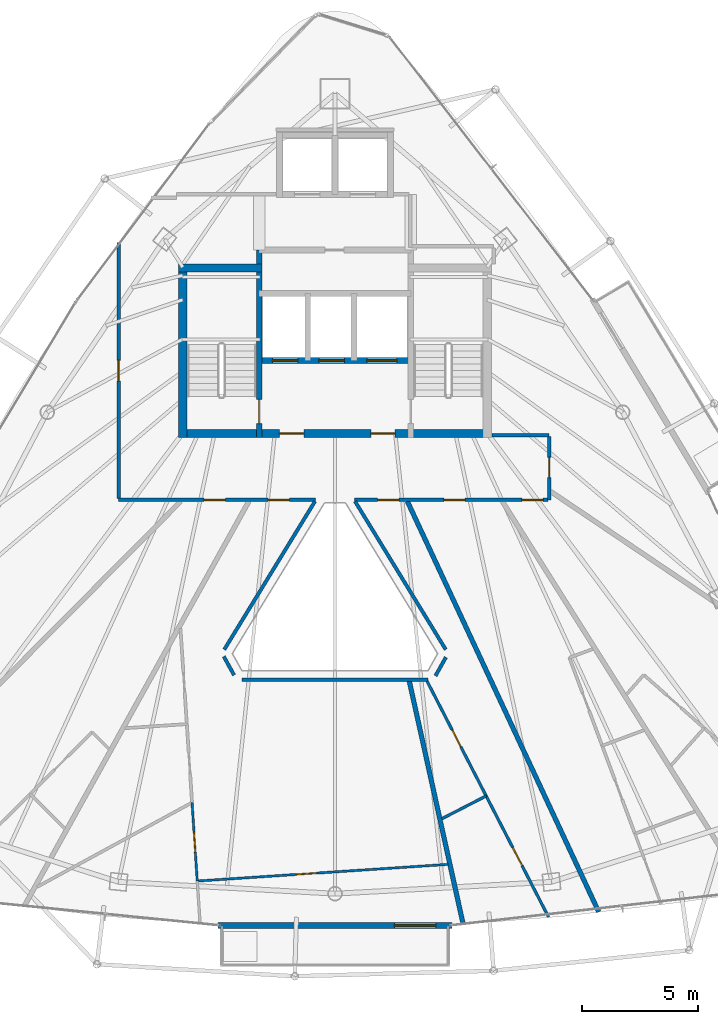
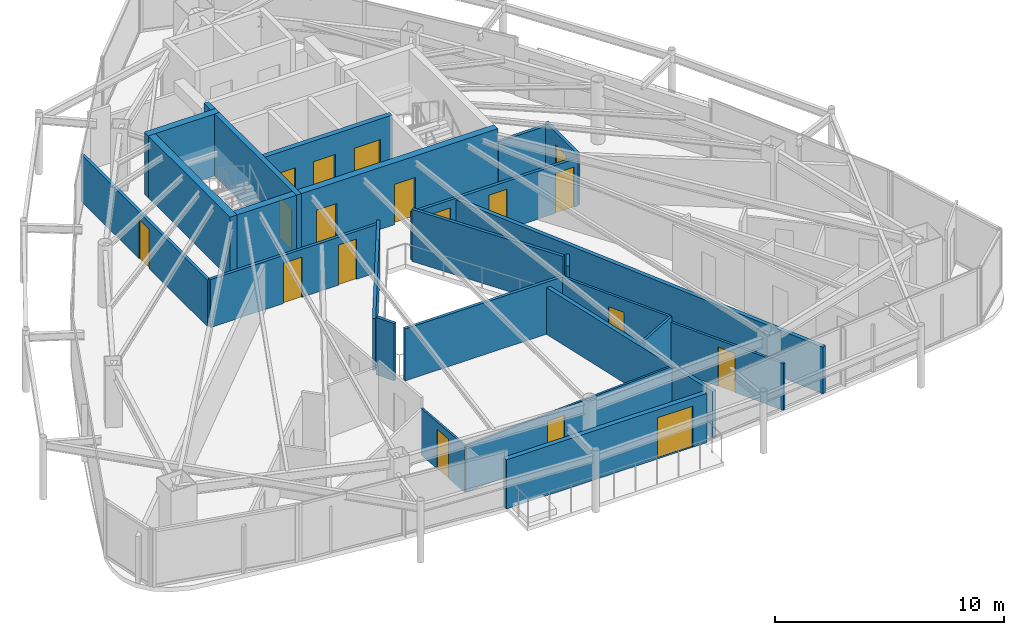
# One storey, part 25 of 29: 23 walls, 18 doors, 18 openings.
"""IFC4 building model written with IfcOpenShell, lengths in metres."""

from ifc_helpers import new_model, si_unit, direction, frame, frame_2d, origin, place, context, subcontext, project, spatial, rectangle, extrude, material, layer, layer_set, type_object, element, fill, save


model = new_model("IFC4")

# Units and contexts
model_context = context("Model", 3, precision=1e-05, world=origin(), true_north=direction((0.0, 1.0)))
body_context = subcontext(model_context, "Body", "Model", "MODEL_VIEW")
ifc_project = project(units=[si_unit("LENGTHUNIT", "METRE"), si_unit("AREAUNIT", "SQUARE_METRE"), si_unit("VOLUMEUNIT", "CUBIC_METRE"), si_unit("PLANEANGLEUNIT", "RADIAN"), si_unit("MASSUNIT", "GRAM", prefix="KILO")], contexts=[model_context])

# Site, building, storey
site_placement = place(None, origin())
site = spatial("IfcSite", under=ifc_project, at=site_placement, CompositionType="ELEMENT")
building_placement = place(site_placement, origin())
building = spatial("IfcBuilding", under=site, at=building_placement, Name="Orvanel Arch Residences", CompositionType="ELEMENT")
storey_placement = place(building_placement, frame((0.0, 0.0, 250.25)))
storey = spatial("IfcBuildingStorey", under=building, at=storey_placement, Name="L71", CompositionType="ELEMENT", Elevation=250.25)

# Wall, opening, door
ifc_material_1 = material(Name="Precast concrete N50 (50 MPa)", Category="concrete")
ifc_layer_1 = layer(ifc_material_1, 0.239990234375)
ifc_layer_set_1 = layer_set([ifc_layer_1], Name="Precast concrete N50 (50 MPa)")
wall_type_1 = type_object("IfcWallType", Name="EW-BAL-240", PredefinedType="SOLIDWALL", material=ifc_layer_set_1)
wall_1_placement = place(storey_placement, frame((27.94091796875, 5.469970703125, 0.0), z_axis=(0.0, 0.0, 1.0), x_axis=(1.0, 0.0, 0.0)))
wall_1 = element("IfcWall", 1, at=wall_1_placement, inside=storey, type_object=wall_type_1, Name="L71 Balcony Threshold Wall Face 2", PredefinedType="SOLIDWALL", context=body_context, shape_type="SweptSolid", body=[
    extrude(rectangle(XDim=10.1181640625, YDim=0.239990234375, at=frame_2d((5.05908203125, 0.0))), origin(), (0.0, 0.0, 1.0), 2.6240234375),
])
opening_1_placement = place(wall_1_placement, frame((7.6201171875, 0.0, 0.0)))
opening_1 = element("IfcOpeningElement", 2, at=opening_1_placement, cuts=wall_1, Name="Opening DB-180", PredefinedType="OPENING", context=body_context, shape_type="SweptSolid", body=[
    extrude(rectangle(XDim=1.800048828125, YDim=2.199951171875, at=frame_2d((0.89990234375, 1.10009765625))), frame((0.0, 0.1298828125, 0.0), z_axis=(0.0, -1.0, 0.0), x_axis=(1.0, 0.0, 0.0)), (0.0, 0.0, 1.0), 0.260009765625),
])
ifc_material_2 = material(Name="Bronze-anodised aluminium AA6063-T6", Category="aluminium")
door_type_1 = type_object("IfcDoorType", Name="DR-BAL-1800", OperationType="NOTDEFINED", PredefinedType="DOOR", material=ifc_material_2)
door_1_placement = place(opening_1_placement, origin())
door_1 = element("IfcDoor", 3, at=door_1_placement, inside=storey, type_object=door_type_1, Name="DR-L71-BAL-F2 L71 Planted Balcony Access Door Face 2", OperationType="SINGLE_SWING_LEFT", OverallHeight=2.199951171875, OverallWidth=1.800048828125, PredefinedType="DOOR", context=body_context, shape_type="SweptSolid", body=[
    extrude(rectangle(XDim=1.800048828125, YDim=2.199951171875, at=frame_2d((0.89990234375, 1.10009765625))), frame((0.0, 0.02490234375, 0.0), z_axis=(0.0, -1.0, 0.0), x_axis=(1.0, 0.0, 0.0)), (0.0, 0.0, 1.0), 0.050048828125),
])
fill(opening_1, door_1)

ifc_material_3 = material(Name="Concrete N50 (50 MPa)", Category="concrete")
ifc_layer_2 = layer(ifc_material_3, 0.25)
ifc_layer_set_2 = layer_set([ifc_layer_2], Name="Concrete N50 (50 MPa)")
wall_type_2 = type_object("IfcWallType", Name="SW-CORE-250", PredefinedType="SHEAR", material=ifc_layer_set_2)
wall_2_placement = place(storey_placement, frame((29.72509765625, 26.550048828125, 0.0), z_axis=(0.0, 0.0, 1.0), x_axis=(0.0, 1.0, 0.0)))
wall_2 = element("IfcWall", 4, at=wall_2_placement, inside=storey, type_object=wall_type_2, Name="L71 West Inner Core Spine Shear Wall", PredefinedType="SHEAR", context=body_context, shape_type="SweptSolid", body=[
    extrude(rectangle(XDim=8.099853515625, YDim=0.25, at=frame_2d((4.0498046875, 0.0))), origin(), (0.0, 0.0, 1.0), 3.300048828125),
])
opening_2_placement = place(wall_2_placement, frame((0.60009765625, 0.0, 0.0)))
opening_2 = element("IfcOpeningElement", 5, at=opening_2_placement, cuts=wall_2, Name="Opening DF-120", PredefinedType="OPENING", context=body_context, shape_type="SweptSolid", body=[
    extrude(rectangle(XDim=1.050048828125, YDim=2.14990234375, at=frame_2d((0.52490234375, 1.074951171875))), frame((0.0, 0.135009765625, 0.0), z_axis=(0.0, -1.0, 0.0), x_axis=(1.0, 0.0, 0.0)), (0.0, 0.0, 1.0), 0.27001953125),
])
ifc_material_4 = material(Name="Galvanised steel fire-resisting door assembly", Category="steel")
door_type_2 = type_object("IfcDoorType", Name="DR-FD120-1050", OperationType="NOTDEFINED", PredefinedType="DOOR", material=ifc_material_4)
door_2_placement = place(opening_2_placement, origin())
door_2 = element("IfcDoor", 6, at=door_2_placement, inside=storey, type_object=door_type_2, Name="DR-L71-ST1 L71 Stair 1 Fire Door", OperationType="SINGLE_SWING_LEFT", OverallHeight=2.14990234375, OverallWidth=1.050048828125, PredefinedType="DOOR", context=body_context, shape_type="SweptSolid", body=[
    extrude(rectangle(XDim=1.050048828125, YDim=2.14990234375, at=frame_2d((0.52490234375, 1.074951171875))), frame((0.0, 0.02490234375, 0.0), z_axis=(0.0, -1.0, 0.0), x_axis=(1.0, 0.0, 0.0)), (0.0, 0.0, 1.0), 0.050048828125),
])
fill(opening_2, door_2)

# Wall, openings, doors
wall_3_placement = place(storey_placement, frame((36.27490234375, 29.875, 0.0), z_axis=(0.0, 0.0, 1.0), x_axis=(-1.0, 0.0, 0.0)))
wall_3 = element("IfcWall", 7, at=wall_3_placement, inside=storey, type_object=wall_type_2, Name="L71 Emergency Lift Front Core Shear Wall", PredefinedType="SHEAR", context=body_context, shape_type="SweptSolid", body=[
    extrude(rectangle(XDim=6.5498046875, YDim=0.25, at=frame_2d((3.27490234375, 0.0))), origin(), (0.0, 0.0, 1.0), 3.300048828125),
])
opening_3_placement = place(wall_3_placement, frame((4.875, 0.0, 0.0)))
opening_3 = element("IfcOpeningElement", 8, at=opening_3_placement, cuts=wall_3, Name="Opening LD-110", PredefinedType="OPENING", context=body_context, shape_type="SweptSolid", body=[
    extrude(rectangle(XDim=1.10009765625, YDim=2.199951171875, at=frame_2d((0.550048828125, 1.10009765625))), frame((0.0, 0.135009765625, 0.0), z_axis=(0.0, -1.0, 0.0), x_axis=(1.0, 0.0, 0.0)), (0.0, 0.0, 1.0), 0.27001953125),
])
opening_4_placement = place(wall_3_placement, frame((2.875, 0.0, 0.0)))
opening_4 = element("IfcOpeningElement", 9, at=opening_4_placement, cuts=wall_3, Name="Opening LD-110", PredefinedType="OPENING", context=body_context, shape_type="SweptSolid", body=[
    extrude(rectangle(XDim=1.10009765625, YDim=2.199951171875, at=frame_2d((0.550048828125, 1.10009765625))), frame((0.0, 0.135009765625, 0.0), z_axis=(0.0, -1.0, 0.0), x_axis=(1.0, 0.0, 0.0)), (0.0, 0.0, 1.0), 0.27001953125),
])
opening_5_placement = place(wall_3_placement, frame((0.60009765625, 0.0, 0.0)))
opening_5 = element("IfcOpeningElement", 10, at=opening_5_placement, cuts=wall_3, Name="Opening LD-130", PredefinedType="OPENING", context=body_context, shape_type="SweptSolid", body=[
    extrude(rectangle(XDim=1.300048828125, YDim=2.199951171875, at=frame_2d((0.64990234375, 1.10009765625))), frame((0.0, 0.135009765625, 0.0), z_axis=(0.0, -1.0, 0.0), x_axis=(1.0, 0.0, 0.0)), (0.0, 0.0, 1.0), 0.27001953125),
])
door_type_3 = type_object("IfcDoorType", Name="DR-LFT-1100", OperationType="NOTDEFINED", PredefinedType="DOOR", material=ifc_material_4)
door_3_placement = place(opening_3_placement, origin())
door_3 = element("IfcDoor", 11, at=door_3_placement, inside=storey, type_object=door_type_3, Name="LD-F1-L71 L71 Lift F1 Sliding Landing Door", OperationType="DOUBLE_DOOR_SLIDING", OverallHeight=2.199951171875, OverallWidth=1.10009765625, PredefinedType="DOOR", context=body_context, shape_type="SweptSolid", body=[
    extrude(rectangle(XDim=1.10009765625, YDim=2.199951171875, at=frame_2d((0.550048828125, 1.10009765625))), frame((0.0, 0.02490234375, 0.0), z_axis=(0.0, -1.0, 0.0), x_axis=(1.0, 0.0, 0.0)), (0.0, 0.0, 1.0), 0.050048828125),
])
fill(opening_3, door_3)
door_4_placement = place(opening_4_placement, origin())
door_4 = element("IfcDoor", 12, at=door_4_placement, inside=storey, type_object=door_type_3, Name="LD-F2-L71 L71 Lift F2 Sliding Landing Door", OperationType="DOUBLE_DOOR_SLIDING", OverallHeight=2.199951171875, OverallWidth=1.10009765625, PredefinedType="DOOR", context=body_context, shape_type="SweptSolid", body=[
    extrude(rectangle(XDim=1.10009765625, YDim=2.199951171875, at=frame_2d((0.550048828125, 1.10009765625))), frame((0.0, 0.02490234375, 0.0), z_axis=(0.0, -1.0, 0.0), x_axis=(1.0, 0.0, 0.0)), (0.0, 0.0, 1.0), 0.050048828125),
])
fill(opening_4, door_4)
door_type_4 = type_object("IfcDoorType", Name="DR-LFT-1300", OperationType="NOTDEFINED", PredefinedType="DOOR", material=ifc_material_4)
door_5_placement = place(opening_5_placement, origin())
door_5 = element("IfcDoor", 13, at=door_5_placement, inside=storey, type_object=door_type_4, Name="LD-G1-L71 L71 Lift G1 Sliding Landing Door", OperationType="DOUBLE_DOOR_SLIDING", OverallHeight=2.199951171875, OverallWidth=1.300048828125, PredefinedType="DOOR", context=body_context, shape_type="SweptSolid", body=[
    extrude(rectangle(XDim=1.300048828125, YDim=2.199951171875, at=frame_2d((0.64990234375, 1.10009765625))), frame((0.0, 0.02490234375, 0.0), z_axis=(0.0, -1.0, 0.0), x_axis=(1.0, 0.0, 0.0)), (0.0, 0.0, 1.0), 0.050048828125),
])
fill(opening_5, door_5)

ifc_layer_3 = layer(ifc_material_3, 0.35009765625)
ifc_layer_set_3 = layer_set([ifc_layer_3], Name="Concrete N50 (50 MPa)")
wall_type_3 = type_object("IfcWallType", Name="SW-CORE-350", PredefinedType="SHEAR", material=ifc_layer_set_3)
wall_4_placement = place(storey_placement, frame((26.25, 26.72509765625, 0.0), z_axis=(0.0, 0.0, 1.0), x_axis=(1.0, 0.0, 0.0)))
wall_4 = element("IfcWall", 14, at=wall_4_placement, inside=storey, type_object=wall_type_3, Name="L71 South Core Shear Wall", PredefinedType="SHEAR", context=body_context, shape_type="SweptSolid", body=[
    extrude(rectangle(XDim=13.5, YDim=0.35009765625, at=frame_2d((6.75, 0.0))), origin(), (0.0, 0.0, 1.0), 3.300048828125),
])
opening_6_placement = place(wall_4_placement, frame((4.35009765625, 0.0, 0.0)))
opening_6 = element("IfcOpeningElement", 15, at=opening_6_placement, cuts=wall_4, Name="Opening DF-060", PredefinedType="OPENING", context=body_context, shape_type="SweptSolid", body=[
    extrude(rectangle(XDim=1.050048828125, YDim=2.14990234375, at=frame_2d((0.52490234375, 1.074951171875))), frame((0.0, 0.18505859375, 0.0), z_axis=(0.0, -1.0, 0.0), x_axis=(1.0, 0.0, 0.0)), (0.0, 0.0, 1.0), 0.3701171875),
])
opening_7_placement = place(wall_4_placement, frame((8.300048828125, 0.0, 0.0)))
opening_7 = element("IfcOpeningElement", 16, at=opening_7_placement, cuts=wall_4, Name="Opening DF-060", PredefinedType="OPENING", context=body_context, shape_type="SweptSolid", body=[
    extrude(rectangle(XDim=1.050048828125, YDim=2.14990234375, at=frame_2d((0.52490234375, 1.074951171875))), frame((0.0, 0.18505859375, 0.0), z_axis=(0.0, -1.0, 0.0), x_axis=(1.0, 0.0, 0.0)), (0.0, 0.0, 1.0), 0.3701171875),
])
door_type_5 = type_object("IfcDoorType", Name="DR-FD60-1050", OperationType="NOTDEFINED", PredefinedType="DOOR", material=ifc_material_4)
door_6_placement = place(opening_6_placement, origin())
door_6 = element("IfcDoor", 17, at=door_6_placement, inside=storey, type_object=door_type_5, Name="DR-L71-FFL-W L71 West Smoke Lobby Door", OperationType="SINGLE_SWING_LEFT", OverallHeight=2.14990234375, OverallWidth=1.050048828125, PredefinedType="DOOR", context=body_context, shape_type="SweptSolid", body=[
    extrude(rectangle(XDim=1.050048828125, YDim=2.14990234375, at=frame_2d((0.52490234375, 1.074951171875))), frame((0.0, 0.02490234375, 0.0), z_axis=(0.0, -1.0, 0.0), x_axis=(1.0, 0.0, 0.0)), (0.0, 0.0, 1.0), 0.050048828125),
])
fill(opening_6, door_6)
door_7_placement = place(opening_7_placement, origin())
door_7 = element("IfcDoor", 18, at=door_7_placement, inside=storey, type_object=door_type_5, Name="DR-L71-FFL-E L71 East Smoke Lobby Door", OperationType="SINGLE_SWING_RIGHT", OverallHeight=2.14990234375, OverallWidth=1.050048828125, PredefinedType="DOOR", context=body_context, shape_type="SweptSolid", body=[
    extrude(rectangle(XDim=1.050048828125, YDim=2.14990234375, at=frame_2d((0.52490234375, 1.074951171875))), frame((0.0, 0.02490234375, 0.0), z_axis=(0.0, -1.0, 0.0), x_axis=(1.0, 0.0, 0.0)), (0.0, 0.0, 1.0), 0.050048828125),
])
fill(opening_7, door_7)

# Walls
wall_5_placement = place(storey_placement, frame((26.425048828125, 26.550048828125, 0.0), z_axis=(0.0, 0.0, 1.0), x_axis=(0.0, 1.0, 0.0)))
element("IfcWall", 19, at=wall_5_placement, inside=storey, type_object=wall_type_3, Name="L71 West Stair Shear Wall", PredefinedType="SHEAR", context=body_context, shape_type="SweptSolid", body=[
    extrude(rectangle(XDim=7.5, YDim=0.35009765625, at=frame_2d((3.75, 0.0))), origin(), (0.0, 0.0, 1.0), 3.300048828125),
])
wall_6_placement = place(storey_placement, frame((26.25, 33.875, 0.0), z_axis=(0.0, 0.0, 1.0), x_axis=(1.0, 0.0, 0.0)))
element("IfcWall", 20, at=wall_6_placement, inside=storey, type_object=wall_type_3, Name="L71 West Stair North Shear Wall", PredefinedType="SHEAR", context=body_context, shape_type="SweptSolid", body=[
    extrude(rectangle(XDim=3.60009765625, YDim=0.35009765625, at=frame_2d((1.800048828125, 0.0))), origin(), (0.0, 0.0, 1.0), 3.300048828125),
])

# Wall, openings, doors
ifc_material_5 = material(Name="Fire-rated plasterboard lined steel stud partition", Category="steel")
ifc_layer_4 = layer(ifc_material_5, 0.14990234375)
ifc_layer_set_4 = layer_set([ifc_layer_4], Name="Fire-rated plasterboard lined steel stud partition")
wall_type_4 = type_object("IfcWallType", Name="W-COR-150", PredefinedType="PARTITIONING", material=ifc_layer_set_4)
wall_7_placement = place(storey_placement, frame((32.1650390625, 23.85009765625, 0.0), z_axis=(0.0, 0.0, 1.0), x_axis=(-1.0, 0.0, 0.0)))
wall_7 = element("IfcWall", 21, at=wall_7_placement, inside=storey, type_object=wall_type_4, Name="L71 Corridor Fire-Rated Partition", PredefinedType="PARTITIONING", context=body_context, shape_type="SweptSolid", body=[
    extrude(rectangle(XDim=8.51513671875, YDim=0.14990234375, at=frame_2d((4.257568359375, 0.0))), origin(), (0.0, 0.0, 1.0), 2.56494140625),
])
opening_8_placement = place(wall_7_placement, frame((1.133056640625, 0.0, 0.0)))
opening_8 = element("IfcOpeningElement", 22, at=opening_8_placement, cuts=wall_7, Name="Opening DA-092", PredefinedType="OPENING", context=body_context, shape_type="SweptSolid", body=[
    extrude(rectangle(XDim=0.919921875, YDim=2.14990234375, at=frame_2d((0.4599609375, 1.074951171875))), frame((0.0, 0.0849609375, 0.0), z_axis=(0.0, -1.0, 0.0), x_axis=(1.0, 0.0, 0.0)), (0.0, 0.0, 1.0), 0.169921875),
])
opening_9_placement = place(wall_7_placement, frame((3.89599609375, 0.0, 0.0)))
opening_9 = element("IfcOpeningElement", 23, at=opening_9_placement, cuts=wall_7, Name="Opening DA-092", PredefinedType="OPENING", context=body_context, shape_type="SweptSolid", body=[
    extrude(rectangle(XDim=0.919921875, YDim=2.14990234375, at=frame_2d((0.4599609375, 1.074951171875))), frame((0.0, 0.0849609375, 0.0), z_axis=(0.0, -1.0, 0.0), x_axis=(1.0, 0.0, 0.0)), (0.0, 0.0, 1.0), 0.169921875),
])
ifc_material_6 = material(Name="Solid-core European oak veneer fire door leaf", Category="wood")
door_type_6 = type_object("IfcDoorType", Name="DR-APT-920", OperationType="NOTDEFINED", PredefinedType="DOOR", material=ifc_material_6)
door_8_placement = place(opening_8_placement, origin())
door_8 = element("IfcDoor", 24, at=door_8_placement, inside=storey, type_object=door_type_6, Name="DR-L71-A-ENT L71 Studio A Entrance Door", OperationType="SINGLE_SWING_RIGHT", OverallHeight=2.14990234375, OverallWidth=0.919921875, PredefinedType="DOOR", context=body_context, shape_type="SweptSolid", body=[
    extrude(rectangle(XDim=0.919921875, YDim=2.14990234375, at=frame_2d((0.4599609375, 1.074951171875))), frame((0.0, 0.02490234375, 0.0), z_axis=(0.0, -1.0, 0.0), x_axis=(1.0, 0.0, 0.0)), (0.0, 0.0, 1.0), 0.050048828125),
])
fill(opening_8, door_8)
door_9_placement = place(opening_9_placement, origin())
door_9 = element("IfcDoor", 25, at=door_9_placement, inside=storey, type_object=door_type_6, Name="DR-L71-D-ENT L71 Studio D Entrance Door", OperationType="SINGLE_SWING_LEFT", OverallHeight=2.14990234375, OverallWidth=0.919921875, PredefinedType="DOOR", context=body_context, shape_type="SweptSolid", body=[
    extrude(rectangle(XDim=0.919921875, YDim=2.14990234375, at=frame_2d((0.4599609375, 1.074951171875))), frame((0.0, 0.02490234375, 0.0), z_axis=(0.0, -1.0, 0.0), x_axis=(1.0, 0.0, 0.0)), (0.0, 0.0, 1.0), 0.050048828125),
])
fill(opening_9, door_9)

# Wall, opening, door
wall_8_placement = place(storey_placement, frame((23.64990234375, 23.909912109375, 0.0), z_axis=(0.0, 0.0, 1.0), x_axis=(0.0, 1.0, 0.0)))
wall_8 = element("IfcWall", 26, at=wall_8_placement, inside=storey, type_object=wall_type_4, Name="L71 Corridor Fire-Rated Partition", PredefinedType="PARTITIONING", context=body_context, shape_type="SweptSolid", body=[
    extrude(rectangle(XDim=11.05908203125, YDim=0.14990234375, at=frame_2d((5.529541015625, 0.0))), origin(), (0.0, 0.0, 1.0), 2.491943359375),
])
opening_10_placement = place(wall_8_placement, frame((5.090087890625, 0.0, 0.0)))
opening_10 = element("IfcOpeningElement", 27, at=opening_10_placement, cuts=wall_8, Name="Opening DI-088", PredefinedType="OPENING", context=body_context, shape_type="SweptSolid", body=[
    extrude(rectangle(XDim=0.8798828125, YDim=2.10009765625, at=frame_2d((0.43994140625, 1.050048828125))), frame((0.0, 0.0849609375, 0.0), z_axis=(0.0, -1.0, 0.0), x_axis=(1.0, 0.0, 0.0)), (0.0, 0.0, 1.0), 0.169921875),
])
door_type_7 = type_object("IfcDoorType", Name="DR-INT-880", OperationType="NOTDEFINED", PredefinedType="DOOR", material=ifc_material_6)
door_10_placement = place(opening_10_placement, origin())
door_10 = element("IfcDoor", 28, at=door_10_placement, inside=storey, type_object=door_type_7, Name="DR-L71-SHRD-FB3 L71 Co-Working Study Office C Door", OperationType="SINGLE_SWING_LEFT", OverallHeight=2.10009765625, OverallWidth=0.8798828125, PredefinedType="DOOR", context=body_context, shape_type="SweptSolid", body=[
    extrude(rectangle(XDim=0.8798828125, YDim=2.10009765625, at=frame_2d((0.43994140625, 1.050048828125))), frame((0.0, 0.02490234375, 0.0), z_axis=(0.0, -1.0, 0.0), x_axis=(1.0, 0.0, 0.0)), (0.0, 0.0, 1.0), 0.050048828125),
])
fill(opening_10, door_10)

# Wall
wall_9_placement = place(storey_placement, frame((39.7900390625, 26.64990234375, 0.0), z_axis=(0.0, 0.0, 1.0), x_axis=(1.0, 0.0, 0.0)))
element("IfcWall", 29, at=wall_9_placement, inside=storey, type_object=wall_type_4, Name="L71 Corridor Fire-Rated Partition", PredefinedType="PARTITIONING", context=body_context, shape_type="SweptSolid", body=[
    extrude(rectangle(XDim=2.4599609375, YDim=0.14990234375, at=frame_2d((1.22998046875, 0.0))), origin(), (0.0, 0.0, 1.0), 2.56494140625),
])

# Wall, opening, door
wall_10_placement = place(storey_placement, frame((42.25, 26.590087890625, 0.0), z_axis=(0.0, 0.0, 1.0), x_axis=(0.0, -1.0, 0.0)))
wall_10 = element("IfcWall", 30, at=wall_10_placement, inside=storey, type_object=wall_type_4, Name="L71 Corridor Fire-Rated Partition", PredefinedType="PARTITIONING", context=body_context, shape_type="SweptSolid", body=[
    extrude(rectangle(XDim=2.739990234375, YDim=0.14990234375, at=frame_2d((1.3701171875, 0.0))), origin(), (0.0, 0.0, 1.0), 2.77294921875),
])
opening_11_placement = place(wall_10_placement, frame((0.89697265625, 0.0, 0.0)))
opening_11 = element("IfcOpeningElement", 31, at=opening_11_placement, cuts=wall_10, Name="Opening DI-088", PredefinedType="OPENING", context=body_context, shape_type="SweptSolid", body=[
    extrude(rectangle(XDim=0.8798828125, YDim=2.10009765625, at=frame_2d((0.43994140625, 1.050048828125))), frame((0.0, 0.0849609375, 0.0), z_axis=(0.0, -1.0, 0.0), x_axis=(1.0, 0.0, 0.0)), (0.0, 0.0, 1.0), 0.169921875),
])
door_11_placement = place(opening_11_placement, origin())
door_11 = element("IfcDoor", 32, at=door_11_placement, inside=storey, type_object=door_type_7, Name="DR-L71-SHRD-FB2 L71 Co-Working Study Office B Door", OperationType="SINGLE_SWING_LEFT", OverallHeight=2.10009765625, OverallWidth=0.8798828125, PredefinedType="DOOR", context=body_context, shape_type="SweptSolid", body=[
    extrude(rectangle(XDim=0.8798828125, YDim=2.10009765625, at=frame_2d((0.43994140625, 1.050048828125))), frame((0.0, 0.02490234375, 0.0), z_axis=(0.0, -1.0, 0.0), x_axis=(1.0, 0.0, 0.0)), (0.0, 0.0, 1.0), 0.050048828125),
])
fill(opening_11, door_11)

# Wall, openings, doors
wall_11_placement = place(storey_placement, frame((42.18994140625, 23.85009765625, 0.0), z_axis=(0.0, 0.0, 1.0), x_axis=(-1.0, 0.0, 0.0)))
wall_11 = element("IfcWall", 33, at=wall_11_placement, inside=storey, type_object=wall_type_4, Name="L71 Corridor Fire-Rated Partition", PredefinedType="PARTITIONING", context=body_context, shape_type="SweptSolid", body=[
    extrude(rectangle(XDim=8.35498046875, YDim=0.14990234375, at=frame_2d((4.177490234375, 0.0))), origin(), (0.0, 0.0, 1.0), 2.56494140625),
])
opening_12_placement = place(wall_11_placement, frame((0.199951171875, 0.0, 0.0)))
opening_12 = element("IfcOpeningElement", 34, at=opening_12_placement, cuts=wall_11, Name="Opening DA-092", PredefinedType="OPENING", context=body_context, shape_type="SweptSolid", body=[
    extrude(rectangle(XDim=0.919921875, YDim=2.14990234375, at=frame_2d((0.4599609375, 1.074951171875))), frame((0.0, 0.0849609375, 0.0), z_axis=(0.0, -1.0, 0.0), x_axis=(1.0, 0.0, 0.0)), (0.0, 0.0, 1.0), 0.169921875),
])
opening_13_placement = place(wall_11_placement, frame((3.56591796875, 0.0, 0.0)))
opening_13 = element("IfcOpeningElement", 35, at=opening_13_placement, cuts=wall_11, Name="Opening DA-092", PredefinedType="OPENING", context=body_context, shape_type="SweptSolid", body=[
    extrude(rectangle(XDim=0.919921875, YDim=2.14990234375, at=frame_2d((0.4599609375, 1.074951171875))), frame((0.0, 0.0849609375, 0.0), z_axis=(0.0, -1.0, 0.0), x_axis=(1.0, 0.0, 0.0)), (0.0, 0.0, 1.0), 0.169921875),
])
opening_14_placement = place(wall_11_placement, frame((6.431884765625, 0.0, 0.0)))
opening_14 = element("IfcOpeningElement", 36, at=opening_14_placement, cuts=wall_11, Name="Opening DA-092", PredefinedType="OPENING", context=body_context, shape_type="SweptSolid", body=[
    extrude(rectangle(XDim=0.919921875, YDim=2.14990234375, at=frame_2d((0.4599609375, 1.074951171875))), frame((0.0, 0.0849609375, 0.0), z_axis=(0.0, -1.0, 0.0), x_axis=(1.0, 0.0, 0.0)), (0.0, 0.0, 1.0), 0.169921875),
])
door_12_placement = place(opening_12_placement, origin())
door_12 = element("IfcDoor", 37, at=door_12_placement, inside=storey, type_object=door_type_6, Name="DR-L71-E-ENT L71 Studio E Entrance Door", OperationType="SINGLE_SWING_RIGHT", OverallHeight=2.14990234375, OverallWidth=0.919921875, PredefinedType="DOOR", context=body_context, shape_type="SweptSolid", body=[
    extrude(rectangle(XDim=0.919921875, YDim=2.14990234375, at=frame_2d((0.4599609375, 1.074951171875))), frame((0.0, 0.02490234375, 0.0), z_axis=(0.0, -1.0, 0.0), x_axis=(1.0, 0.0, 0.0)), (0.0, 0.0, 1.0), 0.050048828125),
])
fill(opening_12, door_12)
door_13_placement = place(opening_13_placement, origin())
door_13 = element("IfcDoor", 38, at=door_13_placement, inside=storey, type_object=door_type_6, Name="DR-L71-F-ENT L71 Studio F Entrance Door", OperationType="SINGLE_SWING_LEFT", OverallHeight=2.14990234375, OverallWidth=0.919921875, PredefinedType="DOOR", context=body_context, shape_type="SweptSolid", body=[
    extrude(rectangle(XDim=0.919921875, YDim=2.14990234375, at=frame_2d((0.4599609375, 1.074951171875))), frame((0.0, 0.02490234375, 0.0), z_axis=(0.0, -1.0, 0.0), x_axis=(1.0, 0.0, 0.0)), (0.0, 0.0, 1.0), 0.050048828125),
])
fill(opening_13, door_13)
door_14_placement = place(opening_14_placement, origin())
door_14 = element("IfcDoor", 39, at=door_14_placement, inside=storey, type_object=door_type_6, Name="DR-L71-G-ENT L71 Studio G Entrance Door", OperationType="SINGLE_SWING_RIGHT", OverallHeight=2.14990234375, OverallWidth=0.919921875, PredefinedType="DOOR", context=body_context, shape_type="SweptSolid", body=[
    extrude(rectangle(XDim=0.919921875, YDim=2.14990234375, at=frame_2d((0.4599609375, 1.074951171875))), frame((0.0, 0.02490234375, 0.0), z_axis=(0.0, -1.0, 0.0), x_axis=(1.0, 0.0, 0.0)), (0.0, 0.0, 1.0), 0.050048828125),
])
fill(opening_14, door_14)

# Walls
wall_12_placement = place(storey_placement, frame((33.865966796875, 23.7900390625, 0.0), z_axis=(0.0, 0.0, 1.0), x_axis=(0.522011859837, -0.852938226479, 0.0)))
element("IfcWall", 40, at=wall_12_placement, inside=storey, type_object=wall_type_4, Name="L71 Atrium Overlook Glazed Partition", PredefinedType="PARTITIONING", context=body_context, shape_type="SweptSolid", body=[
    extrude(rectangle(XDim=7.503662109375, YDim=0.14990234375, at=frame_2d((3.751953125, 0.0))), origin(), (0.0, 0.0, 1.0), 2.77294921875),
])
wall_13_placement = place(storey_placement, frame((37.7890625, 17.053955078125, 0.0), z_axis=(0.0, 0.0, 1.0), x_axis=(-0.488935266506, -0.872320070368, 0.0)))
element("IfcWall", 41, at=wall_13_placement, inside=storey, type_object=wall_type_4, Name="L71 Atrium Overlook Glazed Partition", PredefinedType="PARTITIONING", context=body_context, shape_type="SweptSolid", body=[
    extrude(rectangle(XDim=0.918212890625, YDim=0.14990234375, at=frame_2d((0.458984375, 0.0))), origin(), (0.0, 0.0, 1.0), 3.06005859375),
])
wall_14_placement = place(storey_placement, frame((37.011962890625, 16.08203125, 0.0), z_axis=(0.0, 0.0, 1.0), x_axis=(-1.0, 0.0, 0.0)))
element("IfcWall", 42, at=wall_14_placement, inside=storey, type_object=wall_type_4, Name="L71 Atrium Overlook Glazed Partition", PredefinedType="PARTITIONING", context=body_context, shape_type="SweptSolid", body=[
    extrude(rectangle(XDim=8.02392578125, YDim=0.14990234375, at=frame_2d((4.011962890625, 0.0))), origin(), (0.0, 0.0, 1.0), 2.77294921875),
])
wall_15_placement = place(storey_placement, frame((28.638916015625, 16.285888671875, 0.0), z_axis=(0.0, 0.0, 1.0), x_axis=(-0.481571453054, 0.876406832244, 0.0)))
element("IfcWall", 43, at=wall_15_placement, inside=storey, type_object=wall_type_4, Name="L71 Atrium Overlook Glazed Partition", PredefinedType="PARTITIONING", context=body_context, shape_type="SweptSolid", body=[
    extrude(rectangle(XDim=0.917724609375, YDim=0.14990234375, at=frame_2d((0.458984375, 0.0))), origin(), (0.0, 0.0, 1.0), 3.06005859375),
])
wall_16_placement = place(storey_placement, frame((28.217041015625, 17.389892578125, 0.0), z_axis=(0.0, 0.0, 1.0), x_axis=(0.522011859837, 0.852938226479, 0.0)))
element("IfcWall", 44, at=wall_16_placement, inside=storey, type_object=wall_type_4, Name="L71 Atrium Overlook Glazed Partition", PredefinedType="PARTITIONING", context=body_context, shape_type="SweptSolid", body=[
    extrude(rectangle(XDim=7.503662109375, YDim=0.14990234375, at=frame_2d((3.751953125, 0.0))), origin(), (0.0, 0.0, 1.0), 2.77294921875),
])
ifc_layer_5 = layer(ifc_material_5, 0.199951171875)
ifc_layer_set_5 = layer_set([ifc_layer_5], Name="Fire-rated plasterboard lined steel stud partition")
wall_type_5 = type_object("IfcWallType", Name="W-DEM-200", PredefinedType="PARTITIONING", material=ifc_layer_set_5)
wall_17_placement = place(storey_placement, frame((36.2099609375, 16.02197265625, 0.0), z_axis=(0.0, 0.0, 1.0), x_axis=(0.216451711791, -0.976293325012, 0.0)))
element("IfcWall", 45, at=wall_17_placement, inside=storey, type_object=wall_type_5, Name="L71 Inter-Tenancy Acoustic Demising Wall", PredefinedType="PARTITIONING", context=body_context, shape_type="SweptSolid", body=[
    extrude(rectangle(XDim=10.74560546875, YDim=0.199951171875, at=frame_2d((5.372802734375, 0.0))), origin(), (0.0, 0.0, 1.0), 2.491943359375),
])
wall_18_placement = place(storey_placement, frame((44.39111328125, 6.05810546875, 0.0), z_axis=(0.0, 0.0, 1.0), x_axis=(-0.422434507673, 0.906393450289, 0.0)))
element("IfcWall", 46, at=wall_18_placement, inside=storey, type_object=wall_type_5, Name="L71 Inter-Tenancy Acoustic Demising Wall", PredefinedType="PARTITIONING", context=body_context, shape_type="SweptSolid", body=[
    extrude(rectangle(XDim=19.563232421875, YDim=0.199951171875, at=frame_2d((9.78173828125, 0.0))), origin(), (0.0, 0.0, 1.0), 2.491943359375),
])

# Wall, opening, door
ifc_material_7 = material(Name="Acoustic plasterboard lined twin-stud partition", Category="gypsum")
ifc_layer_6 = layer(ifc_material_7, 0.10009765625)
ifc_layer_set_6 = layer_set([ifc_layer_6], Name="Acoustic plasterboard lined twin-stud partition")
wall_type_6 = type_object("IfcWallType", Name="W-INT-100", PredefinedType="PARTITIONING", material=ifc_layer_set_6)
wall_19_placement = place(storey_placement, frame((37.876953125, 8.110107421875, 0.0), z_axis=(0.0, 0.0, 1.0), x_axis=(-0.997794804299, -0.066374155471, 0.0)))
wall_19 = element("IfcWall", 47, at=wall_19_placement, inside=storey, type_object=wall_type_6, Name="L71 Studio A Internal Partition", PredefinedType="PARTITIONING", context=body_context, shape_type="SweptSolid", body=[
    extrude(rectangle(XDim=10.850830078125, YDim=0.10009765625, at=frame_2d((5.42529296875, 0.0))), origin(), (0.0, 0.0, 1.0), 2.491943359375),
])
opening_15_placement = place(wall_19_placement, frame((5.679931640625, 0.0, 0.0)))
opening_15 = element("IfcOpeningElement", 48, at=opening_15_placement, cuts=wall_19, Name="Opening DI-088", PredefinedType="OPENING", context=body_context, shape_type="SweptSolid", body=[
    extrude(rectangle(XDim=0.8798828125, YDim=2.10009765625, at=frame_2d((0.43994140625, 1.050048828125))), frame((0.0, 0.06005859375, 0.0), z_axis=(0.0, -1.0, 0.0), x_axis=(1.0, 0.0, 0.0)), (0.0, 0.0, 1.0), 0.1201171875),
])
door_15_placement = place(opening_15_placement, origin())
door_15 = element("IfcDoor", 49, at=door_15_placement, inside=storey, type_object=door_type_7, Name="DR-L71-A-STU1 L71 Studio A Private Study Room 1 Door", OperationType="SINGLE_SWING_LEFT", OverallHeight=2.10009765625, OverallWidth=0.8798828125, PredefinedType="DOOR", context=body_context, shape_type="SweptSolid", body=[
    extrude(rectangle(XDim=0.8798828125, YDim=2.10009765625, at=frame_2d((0.43994140625, 1.050048828125))), frame((0.0, 0.02490234375, 0.0), z_axis=(0.0, -1.0, 0.0), x_axis=(1.0, 0.0, 0.0)), (0.0, 0.0, 1.0), 0.050048828125),
])
fill(opening_15, door_15)

wall_20_placement = place(storey_placement, frame((27.050048828125, 7.389892578125, 0.0), z_axis=(0.0, 0.0, 1.0), x_axis=(-0.066251929929, 0.997802927326, 0.0)))
wall_20 = element("IfcWall", 50, at=wall_20_placement, inside=storey, type_object=wall_type_6, Name="L71 Studio A Internal Partition", PredefinedType="PARTITIONING", context=body_context, shape_type="SweptSolid", body=[
    extrude(rectangle(XDim=3.397705078125, YDim=0.10009765625, at=frame_2d((1.69873046875, 0.0))), origin(), (0.0, 0.0, 1.0), 2.491943359375),
])
opening_16_placement = place(wall_20_placement, frame((1.259033203125, 0.0, 0.0)))
opening_16 = element("IfcOpeningElement", 51, at=opening_16_placement, cuts=wall_20, Name="Opening DI-088", PredefinedType="OPENING", context=body_context, shape_type="SweptSolid", body=[
    extrude(rectangle(XDim=0.8798828125, YDim=2.10009765625, at=frame_2d((0.43994140625, 1.050048828125))), frame((0.0, 0.06005859375, 0.0), z_axis=(0.0, -1.0, 0.0), x_axis=(1.0, 0.0, 0.0)), (0.0, 0.0, 1.0), 0.1201171875),
])
door_16_placement = place(opening_16_placement, origin())
door_16 = element("IfcDoor", 52, at=door_16_placement, inside=storey, type_object=door_type_7, Name="DR-L71-A-STU2 L71 Studio A Private Study Room 2 Door", OperationType="SINGLE_SWING_LEFT", OverallHeight=2.10009765625, OverallWidth=0.8798828125, PredefinedType="DOOR", context=body_context, shape_type="SweptSolid", body=[
    extrude(rectangle(XDim=0.8798828125, YDim=2.10009765625, at=frame_2d((0.43994140625, 1.050048828125))), frame((0.0, 0.02490234375, 0.0), z_axis=(0.0, -1.0, 0.0), x_axis=(1.0, 0.0, 0.0)), (0.0, 0.0, 1.0), 0.050048828125),
])
fill(opening_16, door_16)

ifc_layer_7 = layer(ifc_material_7, 0.1201171875)
ifc_layer_set_7 = layer_set([ifc_layer_7], Name="Acoustic plasterboard lined twin-stud partition")
wall_type_7 = type_object("IfcWallType", Name="W-WET-120", PredefinedType="PARTITIONING", material=ifc_layer_set_7)
wall_21_placement = place(storey_placement, frame((39.529052734375, 11.06591796875, 0.0), z_axis=(0.0, 0.0, 1.0), x_axis=(-0.457798211716, 0.889056127221, 0.0)))
wall_21 = element("IfcWall", 53, at=wall_21_placement, inside=storey, type_object=wall_type_7, Name="L71 Studio G Bathroom Partition", PredefinedType="PARTITIONING", context=body_context, shape_type="SweptSolid", body=[
    extrude(rectangle(XDim=5.574462890625, YDim=0.1201171875, at=frame_2d((2.787109375, 0.0))), origin(), (0.0, 0.0, 1.0), 2.77294921875),
])
opening_17_placement = place(wall_21_placement, frame((2.376953125, 0.0, 0.0)))
opening_17 = element("IfcOpeningElement", 54, at=opening_17_placement, cuts=wall_21, Name="Opening DW-082", PredefinedType="OPENING", context=body_context, shape_type="SweptSolid", body=[
    extrude(rectangle(XDim=0.820068359375, YDim=2.10009765625, at=frame_2d((0.41015625, 1.050048828125))), frame((0.0, 0.070068359375, 0.0), z_axis=(0.0, -1.0, 0.0), x_axis=(1.0, 0.0, 0.0)), (0.0, 0.0, 1.0), 0.14013671875),
])
door_type_8 = type_object("IfcDoorType", Name="DR-WET-820", OperationType="NOTDEFINED", PredefinedType="DOOR", material=ifc_material_6)
door_17_placement = place(opening_17_placement, origin())
door_17 = element("IfcDoor", 55, at=door_17_placement, inside=storey, type_object=door_type_8, Name="DR-L71-G-BATH L71 Studio G Bathroom Door", OperationType="SINGLE_SWING_RIGHT", OverallHeight=2.10009765625, OverallWidth=0.820068359375, PredefinedType="DOOR", context=body_context, shape_type="SweptSolid", body=[
    extrude(rectangle(XDim=0.820068359375, YDim=2.10009765625, at=frame_2d((0.41015625, 1.050048828125))), frame((0.0, 0.02490234375, 0.0), z_axis=(0.0, -1.0, 0.0), x_axis=(1.0, 0.0, 0.0)), (0.0, 0.0, 1.0), 0.050048828125),
])
fill(opening_17, door_17)

wall_22_placement = place(storey_placement, frame((42.22802734375, 5.825927734375, 0.0), z_axis=(0.0, 0.0, 1.0), x_axis=(-0.457901041138, 0.889003170143, 0.0)))
wall_22 = element("IfcWall", 56, at=wall_22_placement, inside=storey, type_object=wall_type_7, Name="L71 Studio G Internal Partition", PredefinedType="PARTITIONING", context=body_context, shape_type="SweptSolid", body=[
    extrude(rectangle(XDim=5.894287109375, YDim=0.1201171875, at=frame_2d((2.947265625, 0.0))), origin(), (0.0, 0.0, 1.0), 2.491943359375),
])
opening_18_placement = place(wall_22_placement, frame((2.507080078125, 0.0, 0.0)))
opening_18 = element("IfcOpeningElement", 57, at=opening_18_placement, cuts=wall_22, Name="Opening DI-088", PredefinedType="OPENING", context=body_context, shape_type="SweptSolid", body=[
    extrude(rectangle(XDim=0.8798828125, YDim=2.10009765625, at=frame_2d((0.43994140625, 1.050048828125))), frame((0.0, 0.070068359375, 0.0), z_axis=(0.0, -1.0, 0.0), x_axis=(1.0, 0.0, 0.0)), (0.0, 0.0, 1.0), 0.14013671875),
])
door_18_placement = place(opening_18_placement, origin())
door_18 = element("IfcDoor", 58, at=door_18_placement, inside=storey, type_object=door_type_7, Name="DR-L71-G-KIT L71 Studio G Kitchenette Door", OperationType="SINGLE_SWING_LEFT", OverallHeight=2.10009765625, OverallWidth=0.8798828125, PredefinedType="DOOR", context=body_context, shape_type="SweptSolid", body=[
    extrude(rectangle(XDim=0.8798828125, YDim=2.10009765625, at=frame_2d((0.43994140625, 1.050048828125))), frame((0.0, 0.02490234375, 0.0), z_axis=(0.0, -1.0, 0.0), x_axis=(1.0, 0.0, 0.0)), (0.0, 0.0, 1.0), 0.050048828125),
])
fill(opening_18, door_18)

# Wall
wall_23_placement = place(storey_placement, frame((39.529052734375, 11.06591796875, 0.0), z_axis=(0.0, 0.0, 1.0), x_axis=(-0.889105964634, -0.457701413207, 0.0)))
element("IfcWall", 59, at=wall_23_placement, inside=storey, type_object=wall_type_7, Name="L71 Studio G Bathroom Partition", PredefinedType="PARTITIONING", context=body_context, shape_type="SweptSolid", body=[
    extrude(rectangle(XDim=2.15380859375, YDim=0.1201171875, at=frame_2d((1.076904296875, 0.0))), origin(), (0.0, 0.0, 1.0), 2.77294921875),
])

save(model, "model.ifc")
